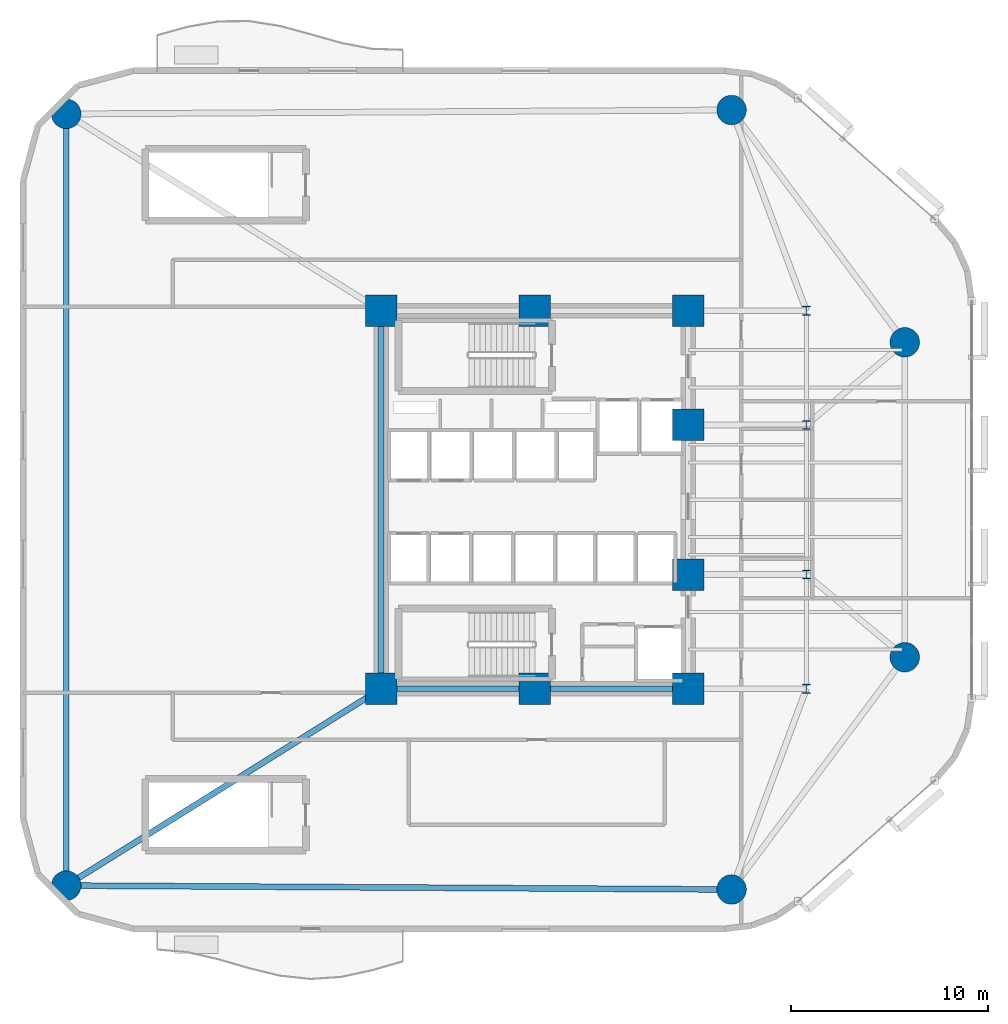
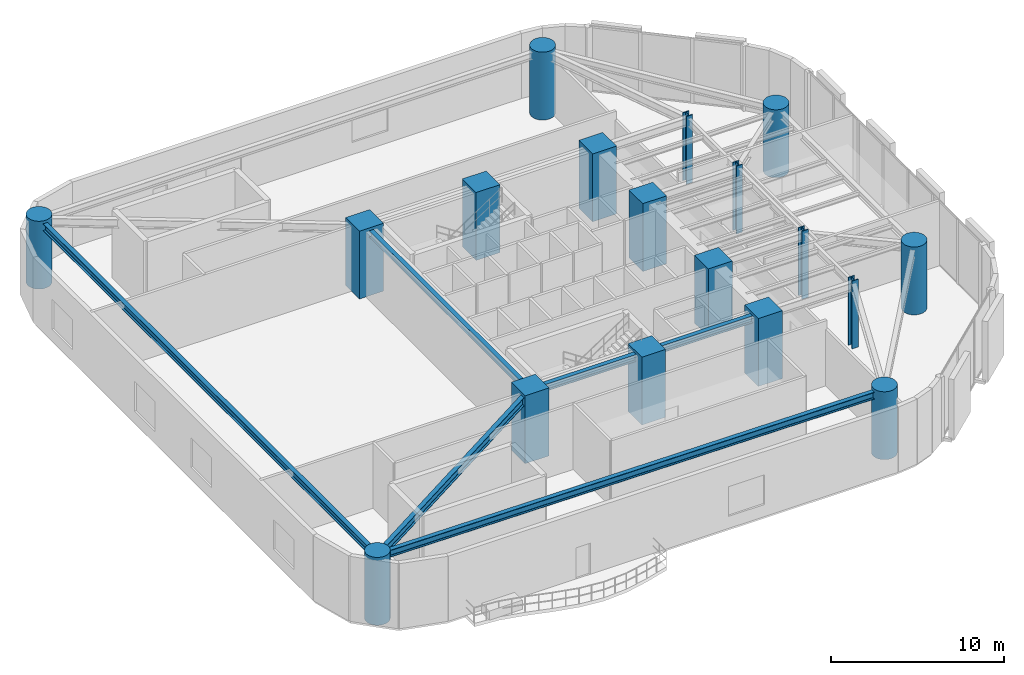
# One storey, part 1 of 13: 18 columns, 5 beams.
"""IFC4 building model written with IfcOpenShell, lengths in metres."""

from ifc_helpers import new_model, si_unit, direction, frame, origin, origin_2d, place, context, subcontext, project, spatial, rectangle, circle, i_section, extrude, material, material_profile, profile_set, type_object, element, save


model = new_model("IFC4")

# Units and contexts
model_context = context("Model", 3, precision=1e-05, world=origin(), true_north=direction((0.0, 1.0)))
body_context = subcontext(model_context, "Body", "Model", "MODEL_VIEW")
ifc_project = project(units=[si_unit("LENGTHUNIT", "METRE"), si_unit("AREAUNIT", "SQUARE_METRE"), si_unit("VOLUMEUNIT", "CUBIC_METRE"), si_unit("PLANEANGLEUNIT", "RADIAN"), si_unit("MASSUNIT", "GRAM", prefix="KILO")], contexts=[model_context])

# Site, building, storey
site_placement = place(None, origin())
site = spatial("IfcSite", under=ifc_project, at=site_placement, CompositionType="ELEMENT")
building_placement = place(site_placement, origin())
building = spatial("IfcBuilding", under=site, at=building_placement, Name="An Khanh Terracotta Commons", CompositionType="ELEMENT")
storey_placement = place(building_placement, frame((0.0, 0.0, 24.0)))
storey = spatial("IfcBuildingStorey", under=building, at=storey_placement, Name="L06", CompositionType="ELEMENT", Elevation=24.0)

# Columns
ifc_material_1 = material(Name="Concrete C70/85", Category="concrete")
ifc_material_profile_1 = material_profile(ifc_material_1, circle(Radius=0.75, at=origin_2d()), Name="CFST1500")
ifc_profile_set_1 = profile_set([ifc_material_profile_1], Name="Concrete C70/85")
column_type_1 = type_object("IfcColumnType", Name="COL-CFST1500", PredefinedType="COLUMN", material=ifc_profile_set_1)
for number, where, z_axis, x_axis, name in (
    (1, (5.60009765625, 4.39990234375, 0.0), (0.0, 0.0, 1.0), (1.0, 0.0, 0.0), "L06 Perimeter CFST Mega-Column MC-01"),
    (2, (39.39990234375, 4.199951171875, 0.0), (0.0, 0.0, 1.0), (1.0, 0.0, 0.0), "L06 Perimeter CFST Mega-Column MC-02"),
    (3, (48.199951171875, 16.0, 0.0), (0.0, 0.0, 1.0), (1.0, 0.0, 0.0), "L06 Perimeter CFST Mega-Column MC-03"),
    (4, (48.199951171875, 32.0, 0.0), (0.0, 0.0, 1.0), (1.0, 0.0, 0.0), "L06 Perimeter CFST Mega-Column MC-04"),
    (5, (39.39990234375, 43.800048828125, 0.0), (0.0, 0.0, 1.0), (1.0, 0.0, 0.0), "L06 Perimeter CFST Mega-Column MC-05"),
    (6, (5.60009765625, 43.60009765625, 0.0), (0.0, 0.0, 1.0), (1.0, 0.0, 0.0), "L06 Perimeter CFST Mega-Column MC-06"),
):
    element("IfcColumn", number, at=place(storey_placement, frame(where, z_axis=z_axis, x_axis=x_axis)), inside=storey, type_object=column_type_1, Name=name, PredefinedType="COLUMN", context=body_context, shape_type="SweptSolid", body=[
        extrude(circle(Radius=0.75, at=origin_2d()), origin(), (0.0, 0.0, 1.0), 4.800048828125),
    ])
ifc_material_2 = material(Name="Steel S460ML", Category="steel")
ifc_material_profile_2 = material_profile(ifc_material_2, i_section(OverallWidth=0.4169921875, OverallDepth=0.47705078125, WebThickness=0.035888671875, FlangeThickness=0.057373046875, FilletRadius=0.014892578125, at=origin_2d()), Name="HD400x463")
ifc_profile_set_2 = profile_set([ifc_material_profile_2], Name="Steel S460ML")
column_type_2 = type_object("IfcColumnType", Name="COL-HD400x463", PredefinedType="COLUMN", material=ifc_profile_set_2)
for number, where, z_axis, x_axis, name in (
    (7, (43.199951171875, 14.39990234375, 0.0), (0.0, 0.0, 1.0), (1.0, 0.0, 0.0), "L06 Interior Frame Column TC-01"),
    (8, (43.199951171875, 20.199951171875, 0.0), (0.0, 0.0, 1.0), (1.0, 0.0, 0.0), "L06 Interior Frame Column TC-02"),
    (9, (43.199951171875, 27.800048828125, 0.0), (0.0, 0.0, 1.0), (1.0, 0.0, 0.0), "L06 Interior Frame Column TC-03"),
    (10, (43.199951171875, 33.60009765625, 0.0), (0.0, 0.0, 1.0), (1.0, 0.0, 0.0), "L06 Interior Frame Column TC-04"),
):
    element("IfcColumn", number, at=place(storey_placement, frame(where, z_axis=z_axis, x_axis=x_axis)), inside=storey, type_object=column_type_2, Name=name, PredefinedType="COLUMN", context=body_context, shape_type="SweptSolid", body=[
        extrude(i_section(OverallWidth=0.4169921875, OverallDepth=0.47705078125, WebThickness=0.035888671875, FlangeThickness=0.057373046875, FilletRadius=0.014892578125, at=origin_2d()), origin(), (0.0, 0.0, 1.0), 4.800048828125),
    ])
ifc_material_profile_3 = material_profile(ifc_material_1, rectangle(XDim=1.60009765625, YDim=1.60009765625, at=origin_2d()), Name="RC1600x1600")
ifc_profile_set_3 = profile_set([ifc_material_profile_3], Name="Concrete C70/85")
column_type_3 = type_object("IfcColumnType", Name="COL-RC1600x1600", PredefinedType="COLUMN", material=ifc_profile_set_3)
for number, where, z_axis, x_axis, name in (
    (11, (21.60009765625, 14.39990234375, 0.0), (0.0, 0.0, 1.0), (1.0, 0.0, 0.0), "L06 Core Boundary Column CC-01"),
    (12, (29.39990234375, 14.39990234375, 0.0), (0.0, 0.0, 1.0), (1.0, 0.0, 0.0), "L06 Core Boundary Column CC-02"),
    (13, (37.199951171875, 14.39990234375, 0.0), (0.0, 0.0, 1.0), (1.0, 0.0, 0.0), "L06 Core Boundary Column CC-03"),
    (14, (37.199951171875, 20.199951171875, 0.0), (0.0, 0.0, 1.0), (1.0, 0.0, 0.0), "L06 Core Boundary Column CC-04"),
    (15, (37.199951171875, 27.800048828125, 0.0), (0.0, 0.0, 1.0), (1.0, 0.0, 0.0), "L06 Core Boundary Column CC-05"),
    (16, (37.199951171875, 33.60009765625, 0.0), (0.0, 0.0, 1.0), (1.0, 0.0, 0.0), "L06 Core Boundary Column CC-06"),
    (17, (29.39990234375, 33.60009765625, 0.0), (0.0, 0.0, 1.0), (1.0, 0.0, 0.0), "L06 Core Boundary Column CC-07"),
    (18, (21.60009765625, 33.60009765625, 0.0), (0.0, 0.0, 1.0), (1.0, 0.0, 0.0), "L06 Core Boundary Column CC-08"),
):
    element("IfcColumn", number, at=place(storey_placement, frame(where, z_axis=z_axis, x_axis=x_axis)), inside=storey, type_object=column_type_3, Name=name, PredefinedType="COLUMN", context=body_context, shape_type="SweptSolid", body=[
        extrude(rectangle(XDim=1.60009765625, YDim=1.60009765625, at=origin_2d()), origin(), (0.0, 0.0, 1.0), 4.800048828125),
    ])

# Beams
ifc_material_3 = material(Name="Steel S355J2", Category="steel")
ifc_material_profile_4 = material_profile(ifc_material_3, i_section(OverallWidth=0.300048828125, OverallDepth=0.449951171875, WebThickness=0.013916015625, FlangeThickness=0.02587890625, FilletRadius=0.027099609375, at=origin_2d()), Name="HEB450")
ifc_profile_set_4 = profile_set([ifc_material_profile_4], Name="Steel S355J2")
beam_type_1 = type_object("IfcBeamType", Name="BM-HEB450", PredefinedType="BEAM", material=ifc_profile_set_4)
beam_1_placement = place(storey_placement, frame((21.60009765625, 14.39990234375, 4.375), z_axis=(0.0, 1.0, 0.0), x_axis=(-1.0, 0.0, 0.0)))
element("IfcBeam", 19, at=beam_1_placement, inside=storey, type_object=beam_type_1, Name="L06 Core West Coupling Girder", PredefinedType="BEAM", context=body_context, shape_type="SweptSolid", body=[
    extrude(i_section(OverallWidth=0.300048828125, OverallDepth=0.449951171875, WebThickness=0.013916015625, FlangeThickness=0.02587890625, FilletRadius=0.027099609375, at=origin_2d()), origin(), (0.0, 0.0, 1.0), 19.2001953125),
])
ifc_material_profile_5 = material_profile(ifc_material_3, i_section(OverallWidth=0.300048828125, OverallDepth=0.5, WebThickness=0.014404296875, FlangeThickness=0.028076171875, FilletRadius=0.027099609375, at=origin_2d()), Name="HEB500")
ifc_profile_set_5 = profile_set([ifc_material_profile_5], Name="Steel S355J2")
beam_type_2 = type_object("IfcBeamType", Name="BM-HEB500", PredefinedType="BEAM", material=ifc_profile_set_5)
beam_2_placement = place(storey_placement, frame((21.60009765625, 14.39990234375, 4.35009765625), z_axis=(1.0, 0.0, 0.0), x_axis=(0.0, 1.0, 0.0)))
element("IfcBeam", 20, at=beam_2_placement, inside=storey, type_object=beam_type_2, Name="L06 Core South Coupling Girder", PredefinedType="BEAM", context=body_context, shape_type="SweptSolid", body=[
    extrude(i_section(OverallWidth=0.300048828125, OverallDepth=0.5, WebThickness=0.014404296875, FlangeThickness=0.028076171875, FilletRadius=0.027099609375, at=origin_2d()), origin(), (0.0, 0.0, 1.0), 15.599853515625),
])
beam_3_placement = place(storey_placement, frame((5.60009765625, 4.39990234375, 4.35009765625), z_axis=(0.999982502414, -0.005915645817, 0.0), x_axis=(0.005915645817, 0.999982502414, 0.0)))
element("IfcBeam", 21, at=beam_3_placement, inside=storey, type_object=beam_type_2, Name="L06 Perimeter Ring Spandrel 1", PredefinedType="BEAM", context=body_context, shape_type="SweptSolid", body=[
    extrude(i_section(OverallWidth=0.300048828125, OverallDepth=0.5, WebThickness=0.014404296875, FlangeThickness=0.028076171875, FilletRadius=0.027099609375, at=origin_2d()), origin(), (0.0, 0.0, 1.0), 33.80029296875),
])
beam_4_placement = place(storey_placement, frame((5.60009765625, 43.60009765625, 4.35009765625), z_axis=(0.0, -1.0, 0.0), x_axis=(1.0, 0.0, 0.0)))
element("IfcBeam", 22, at=beam_4_placement, inside=storey, type_object=beam_type_2, Name="L06 Perimeter Ring Spandrel 6", PredefinedType="BEAM", context=body_context, shape_type="SweptSolid", body=[
    extrude(i_section(OverallWidth=0.300048828125, OverallDepth=0.5, WebThickness=0.014404296875, FlangeThickness=0.028076171875, FilletRadius=0.027099609375, at=origin_2d()), origin(), (0.0, 0.0, 1.0), 39.2001953125),
])
ifc_material_profile_6 = material_profile(ifc_material_3, i_section(OverallWidth=0.300048828125, OverallDepth=0.60009765625, WebThickness=0.015380859375, FlangeThickness=0.030029296875, FilletRadius=0.027099609375, at=origin_2d()), Name="HEB600")
ifc_profile_set_6 = profile_set([ifc_material_profile_6], Name="Steel S355J2")
beam_type_3 = type_object("IfcBeamType", Name="BM-HEB600", PredefinedType="BEAM", material=ifc_profile_set_6)
beam_5_placement = place(storey_placement, frame((5.60009765625, 4.39990234375, 4.300048828125), z_axis=(0.847998304005, 0.529998940003, 0.0), x_axis=(-0.529998940003, 0.847998304005, 0.0)))
element("IfcBeam", 23, at=beam_5_placement, inside=storey, type_object=beam_type_3, Name="L06 Mega-Column Tie Girder 1", PredefinedType="BEAM", context=body_context, shape_type="SweptSolid", body=[
    extrude(i_section(OverallWidth=0.300048828125, OverallDepth=0.60009765625, WebThickness=0.015380859375, FlangeThickness=0.030029296875, FilletRadius=0.027099609375, at=origin_2d()), origin(), (0.0, 0.0, 1.0), 18.867919921875),
])

save(model, "model.ifc")
